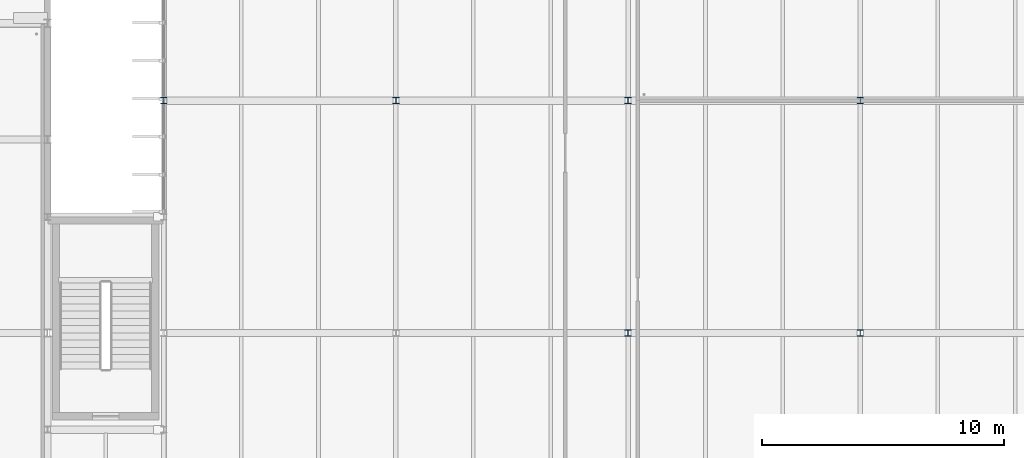
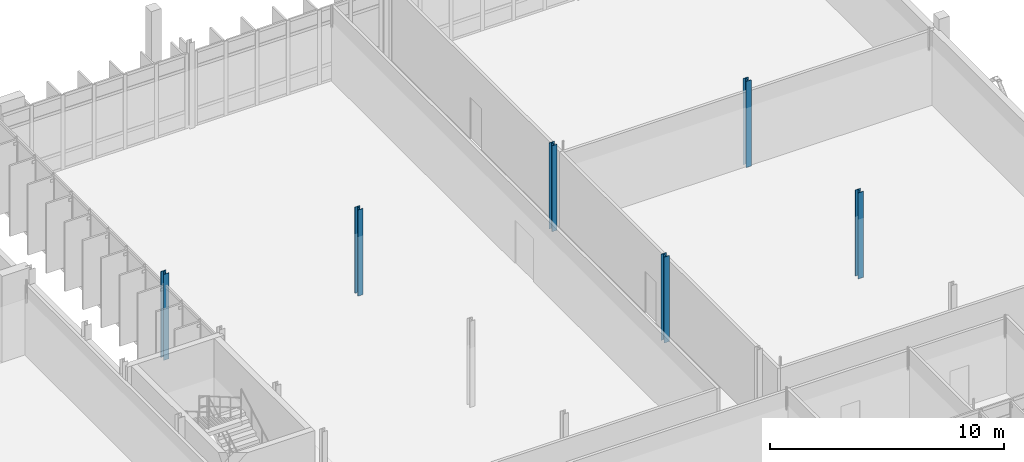
# One storey, part 13 of 107: 6 columns.
"""IFC4 building model written with IfcOpenShell, lengths in metres."""

from ifc_helpers import new_model, si_unit, direction, frame, origin, origin_2d, place, context, subcontext, project, spatial, i_section, extrude, material, material_profile, profile_set, type_object, element, save


model = new_model("IFC4")

# Units and contexts
model_context = context("Model", 3, precision=1e-05, world=origin(), true_north=direction((0.0, 1.0)))
body_context = subcontext(model_context, "Body", "Model", "MODEL_VIEW")
ifc_project = project(units=[si_unit("LENGTHUNIT", "METRE"), si_unit("AREAUNIT", "SQUARE_METRE"), si_unit("VOLUMEUNIT", "CUBIC_METRE"), si_unit("PLANEANGLEUNIT", "RADIAN"), si_unit("MASSUNIT", "GRAM", prefix="KILO")], contexts=[model_context])

# Site, building, storey
site_placement = place(None, origin())
site = spatial("IfcSite", under=ifc_project, at=site_placement, CompositionType="ELEMENT")
building_placement = place(site_placement, origin())
building = spatial("IfcBuilding", under=site, at=building_placement, Name="Dunescarp Central Library", CompositionType="ELEMENT")
storey_placement = place(building_placement, frame((0.0, 0.0, 5.10009765625)))
storey = spatial("IfcBuildingStorey", under=building, at=storey_placement, Name="L01", CompositionType="ELEMENT", Elevation=5.10009765625)

# Columns
ifc_material = material(Name="Steel S355JR", Category="steel")
ifc_material_profile = material_profile(ifc_material, i_section(OverallWidth=0.2587890625, OverallDepth=0.2666015625, WebThickness=0.0126953125, FlangeThickness=0.0205078125, at=origin_2d()), Name="UC 254x254x107")
ifc_profile_set = profile_set([ifc_material_profile], Name="Steel S355JR")
column_type = type_object("IfcColumnType", Name="STR-COL-UC254X107", PredefinedType="COLUMN", material=ifc_profile_set)
for number, where, z_axis, x_axis, name in (
    (1, (129.60009765625, 30.39990234375, 0.0), (0.0, 0.0, 1.0), (1.0, 0.0, 0.0), "L01 column V5-1296-304"),
    (2, (139.199951171875, 30.39990234375, 0.0), (0.0, 0.0, 1.0), (1.0, 0.0, 0.0), "L01 column V5-1392-304"),
    (3, (148.800048828125, 20.800048828125, 0.0), (0.0, 0.0, 1.0), (1.0, 0.0, 0.0), "L01 column V5-1488-208"),
    (4, (148.800048828125, 30.39990234375, 0.0), (0.0, 0.0, 1.0), (1.0, 0.0, 0.0), "L01 column V5-1488-304"),
    (5, (158.39990234375, 20.800048828125, 0.0), (0.0, 0.0, 1.0), (1.0, 0.0, 0.0), "L01 column V5-1584-208"),
    (6, (158.39990234375, 30.39990234375, 0.0), (0.0, 0.0, 1.0), (1.0, 0.0, 0.0), "L01 column V5-1584-304"),
):
    element("IfcColumn", number, at=place(storey_placement, frame(where, z_axis=z_axis, x_axis=x_axis)), inside=storey, type_object=column_type, Name=name, PredefinedType="COLUMN", context=body_context, shape_type="SweptSolid", body=[
        extrude(i_section(OverallWidth=0.2587890625, OverallDepth=0.2666015625, WebThickness=0.0126953125, FlangeThickness=0.0205078125, at=origin_2d()), origin(), (0.0, 0.0, 1.0), 4.5),
    ])

save(model, "model.ifc")
